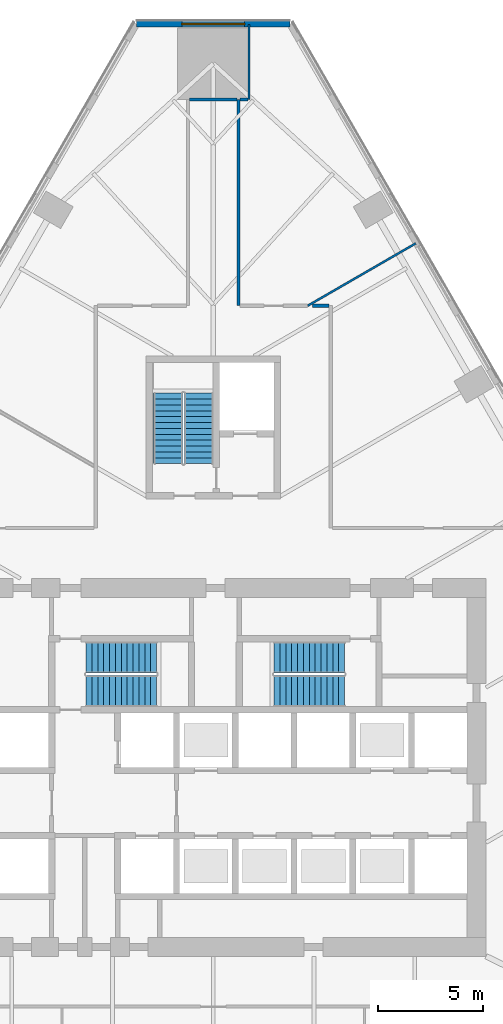
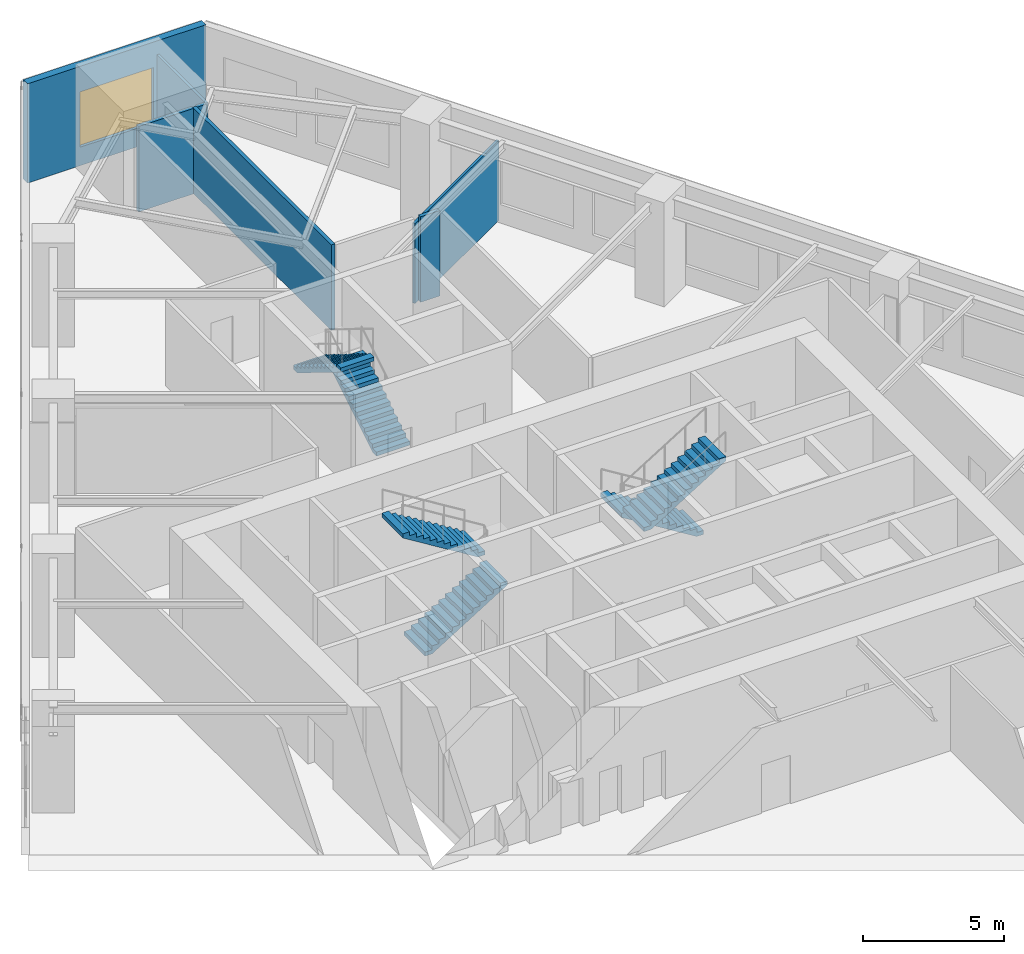
# One storey, part 7 of 14: 7 walls, 6 stair flights, 1 window, 1 opening, 3 elements without a shape of their own.
"""IFC4 building model written with IfcOpenShell, lengths in metres."""

from ifc_helpers import new_model, si_unit, direction, frame, frame_2d, origin, place, context, subcontext, project, spatial, polyline, rectangle, outline, extrude, material, layer, layer_set, type_object, element, fill, aggregate, save


model = new_model("IFC4")

# Units and contexts
model_context = context("Model", 3, precision=1e-05, world=origin(), true_north=direction((0.0, 1.0)))
body_context = subcontext(model_context, "Body", "Model", "MODEL_VIEW")
ifc_project = project(units=[si_unit("LENGTHUNIT", "METRE"), si_unit("AREAUNIT", "SQUARE_METRE"), si_unit("VOLUMEUNIT", "CUBIC_METRE"), si_unit("PLANEANGLEUNIT", "RADIAN"), si_unit("MASSUNIT", "GRAM", prefix="KILO")], contexts=[model_context])

# Site, building, storey
site_placement = place(None, origin())
site = spatial("IfcSite", under=ifc_project, at=site_placement, CompositionType="ELEMENT")
building_placement = place(site_placement, origin())
building = spatial("IfcBuilding", under=site, at=building_placement, Name="Firuza Gate Tower and Library", CompositionType="ELEMENT")
storey_placement = place(building_placement, frame((0.0, 0.0, 35.5)))
storey = spatial("IfcBuildingStorey", under=building, at=storey_placement, Name="L07", CompositionType="ELEMENT", Elevation=35.5)

# Walls
ifc_material_1 = material(Name="Gypsum board partition")
ifc_layer_1 = layer(ifc_material_1, 0.14990234375)
ifc_layer_set_1 = layer_set([ifc_layer_1], Name="Corridor wall 150 double board on steel studs")
wall_type_1 = type_object("IfcWallType", Name="Corridor wall 150 double board on steel studs", PredefinedType="PARTITIONING", material=ifc_layer_set_1)
wall_1_placement = place(storey_placement, frame((73.87548828125, 106.833984375, 0.0), z_axis=(0.0, 0.0, 1.0), x_axis=(1.0, 0.0, 0.0)))
element("IfcWall", 1, at=wall_1_placement, inside=storey, type_object=wall_type_1, Name="f:L07:w006", PredefinedType="PARTITIONING", context=body_context, shape_type="SweptSolid", body=[
    extrude(rectangle(XDim=2.24951171875, YDim=0.14990234375, at=frame_2d((1.124755859375, 0.0))), origin(), (0.0, 0.0, 1.0), 3.697021484375),
])
wall_2_placement = place(storey_placement, frame((76.199951171875, 97.0, 0.0), z_axis=(0.0, 0.0, 1.0), x_axis=(0.0, 1.0, 0.0)))
element("IfcWall", 2, at=wall_2_placement, inside=storey, type_object=wall_type_1, Name="f:L07:w022", PredefinedType="PARTITIONING", context=body_context, shape_type="SweptSolid", body=[
    extrude(rectangle(XDim=9.833740234375, YDim=0.14990234375, at=frame_2d((4.9169921875, 0.0))), origin(), (0.0, 0.0, 1.0), 3.699951171875),
])
wall_3_placement = place(storey_placement, frame((79.73486328125, 97.0, 0.0), z_axis=(0.0, 0.0, 1.0), x_axis=(1.0, 0.0, 0.0)))
element("IfcWall", 3, at=wall_3_placement, inside=storey, type_object=wall_type_1, Name="f:L07:w036", PredefinedType="PARTITIONING", context=body_context, shape_type="SweptSolid", body=[
    extrude(rectangle(XDim=0.78955078125, YDim=0.14990234375, at=frame_2d((0.394775390625, 0.0))), origin(), (0.0, 0.0, 1.0), 3.699951171875),
])
wall_4_placement = place(storey_placement, frame((76.27490234375, 106.833984375, 0.0), z_axis=(0.0, 0.0, 1.0), x_axis=(1.0, 0.0, 0.0)))
element("IfcWall", 4, at=wall_4_placement, inside=storey, type_object=wall_type_1, Name="f:L07:w037", PredefinedType="PARTITIONING", context=body_context, shape_type="SweptSolid", body=[
    extrude(rectangle(XDim=0.37451171875, YDim=0.14990234375, at=frame_2d((0.187255859375, 0.0))), origin(), (0.0, 0.0, 1.0), 3.699951171875),
])
ifc_material_2 = material(Name="Gypsum board partition")
ifc_layer_2 = layer(ifc_material_2, 0.10009765625)
ifc_layer_set_2 = layer_set([ifc_layer_2], Name="Partition 100 gypsum board on steel studs")
wall_type_2 = type_object("IfcWallType", Name="Partition 100 gypsum board on steel studs", PredefinedType="PARTITIONING", material=ifc_layer_set_2)
wall_5_placement = place(storey_placement, frame((79.505126953125, 97.0, 0.0), z_axis=(0.0, 0.0, 1.0), x_axis=(0.866009767966, 0.500027081053, 0.0)))
element("IfcWall", 5, at=wall_5_placement, inside=storey, type_object=wall_type_2, Name="f:L07:w012", PredefinedType="PARTITIONING", context=body_context, shape_type="SweptSolid", body=[
    extrude(rectangle(XDim=5.943115234375, YDim=0.10009765625, at=frame_2d((2.9716796875, 0.0))), origin(), (0.0, 0.0, 1.0), 3.465087890625),
])
wall_6_placement = place(storey_placement, frame((76.699951171875, 106.834228515625, 0.0), z_axis=(0.0, 0.0, 1.0), x_axis=(0.0, 1.0, 0.0)))
element("IfcWall", 6, at=wall_6_placement, inside=storey, type_object=wall_type_2, Name="f:L07:w021", PredefinedType="PARTITIONING", context=body_context, shape_type="SweptSolid", body=[
    extrude(rectangle(XDim=3.5595703125, YDim=0.10009765625, at=frame_2d((1.77978515625, 0.0))), origin(), (0.0, 0.0, 1.0), 3.699951171875),
])

# Wall, opening, window
ifc_material_3 = material(Name="Concrete C40/50", Category="concrete")
ifc_layer_3 = layer(ifc_material_3, 0.300048828125)
ifc_layer_set_3 = layer_set([ifc_layer_3], Name="Plant louvre wall 300")
wall_type_3 = type_object("IfcWallType", Name="Plant louvre wall 300", PredefinedType="SOLIDWALL", material=ifc_layer_set_3)
wall_7_placement = place(storey_placement, frame((78.65185546875, 110.423828125, 0.0), z_axis=(0.0, 0.0, 1.0), x_axis=(-1.0, 0.0, 0.0)))
wall_7 = element("IfcWall", 7, at=wall_7_placement, inside=storey, type_object=wall_type_3, Name="Plant louvre wall 4", PredefinedType="SOLIDWALL", context=body_context, shape_type="SweptSolid", body=[
    extrude(rectangle(XDim=7.3037109375, YDim=0.300048828125, at=frame_2d((3.65185546875, 0.0))), origin(), (0.0, 0.0, 1.0), 4.300048828125),
])
opening_placement = place(wall_7_placement, frame((2.15185546875, 0.0, 0.800048828125)))
opening = element("IfcOpeningElement", 8, at=opening_placement, cuts=wall_7, Name="Opening WD3-021", PredefinedType="OPENING", context=body_context, shape_type="SweptSolid", body=[
    extrude(rectangle(XDim=3.0, YDim=2.39990234375, at=frame_2d((1.5, 1.199951171875))), frame((0.0, 0.16015625, 0.0), z_axis=(0.0, -1.0, 0.0), x_axis=(1.0, 0.0, 0.0)), (0.0, 0.0, 1.0), 0.320068359375),
])
ifc_material_4 = material(Name="Aluminium 6063-T6", Category="aluminium")
window_type = type_object("IfcWindowType", Name="Plant louvre 3000x2400", PartitioningType="SINGLE_PANEL", PredefinedType="WINDOW", material=ifc_material_4)
window_placement = place(opening_placement, origin())
window = element("IfcWindow", 9, at=window_placement, inside=storey, type_object=window_type, Name="e:pwall:L07:3/L0", OverallHeight=2.39990234375, OverallWidth=3.0, PartitioningType="SINGLE_PANEL", PredefinedType="WINDOW", context=body_context, shape_type="SweptSolid", body=[
    extrude(rectangle(XDim=3.0, YDim=2.39990234375, at=frame_2d((1.5, 1.199951171875))), frame((0.0, 0.030029296875, 0.0), z_axis=(0.0, -1.0, 0.0), x_axis=(1.0, 0.0, 0.0)), (0.0, 0.0, 1.0), 0.06005859375),
])
fill(opening, window)

# Stair, stair flights
ifc_material_5 = material(Name="Concrete C35/45", Category="concrete")
stair_type_1 = type_object("IfcStairType", Name="Exit stair ST10", PredefinedType="HALF_TURN_STAIR", material=ifc_material_5)
placement = place(storey_placement, origin())
stair_1 = element("IfcStair", 10, at=placement, inside=storey, type_object=stair_type_1, Name="L07 Stair ST3", PredefinedType="HALF_TURN_STAIR")
ifc_material_6 = material(Name="Concrete C35/45", Category="concrete")
stair_flight_type_1 = type_object("IfcStairFlightType", Name="Stair flight 13 risers 173.1 width 1370", PredefinedType="STRAIGHT", material=ifc_material_6)
stair_flight_1_placement = place(storey_placement, frame((74.31494140625, 89.469970703125, 0.0), z_axis=(0.0, 0.0, 1.0), x_axis=(0.0, 1.0, 0.0)))
stair_flight_1 = element("IfcStairFlight", 11, at=stair_flight_1_placement, type_object=stair_flight_type_1, Name="ST3 flight 1", NumberOfRisers=13, NumberOfTreads=12, PredefinedType="STRAIGHT", RiserHeight=0.173076923, TreadLength=0.28, context=body_context, shape_type="SweptSolid", body=[
    extrude(outline(polyline([(0.0, 0.0), (0.0, 0.173095703125), (0.280029296875, 0.173095703125), (0.280029296875, 0.34619140625), (0.56005859375, 0.34619140625), (0.56005859375, 0.519287109375), (0.840087890625, 0.519287109375), (0.840087890625, 0.6923828125), (1.1201171875, 0.6923828125), (1.1201171875, 0.865478515625), (1.39990234375, 0.865478515625), (1.39990234375, 1.03857421875), (1.679931640625, 1.03857421875), (1.679931640625, 1.21142578125), (1.9599609375, 1.21142578125), (1.9599609375, 1.384521484375), (2.239990234375, 1.384521484375), (2.239990234375, 1.5576171875), (2.52001953125, 1.5576171875), (2.52001953125, 1.730712890625), (2.800048828125, 1.730712890625), (2.800048828125, 1.90380859375), (3.080078125, 1.90380859375), (3.080078125, 2.076904296875), (3.360107421875, 2.076904296875), (3.360107421875, 2.25), (3.360107421875, 1.900634765625), (0.28515625, 0.0), (0.0, 0.0)])), frame((0.0, 0.68505859375, 0.0), z_axis=(0.0, -1.0, 0.0), x_axis=(1.0, 0.0, 0.0)), (0.0, 0.0, 1.0), 1.3701171875),
])
stair_flight_2_placement = place(storey_placement, frame((72.844970703125, 92.830078125, 2.25), z_axis=(0.0, 0.0, 1.0), x_axis=(0.0, -1.0, 0.0)))
stair_flight_2 = element("IfcStairFlight", 12, at=stair_flight_2_placement, type_object=stair_flight_type_1, Name="ST3 flight 2", NumberOfRisers=13, NumberOfTreads=12, PredefinedType="STRAIGHT", RiserHeight=0.173076923, TreadLength=0.28, context=body_context, shape_type="SweptSolid", body=[
    extrude(outline(polyline([(0.0, 0.0), (0.0, 0.173095703125), (0.280029296875, 0.173095703125), (0.280029296875, 0.34619140625), (0.56005859375, 0.34619140625), (0.56005859375, 0.519287109375), (0.840087890625, 0.519287109375), (0.840087890625, 0.6923828125), (1.1201171875, 0.6923828125), (1.1201171875, 0.865478515625), (1.39990234375, 0.865478515625), (1.39990234375, 1.03857421875), (1.679931640625, 1.03857421875), (1.679931640625, 1.21142578125), (1.9599609375, 1.21142578125), (1.9599609375, 1.384521484375), (2.239990234375, 1.384521484375), (2.239990234375, 1.5576171875), (2.52001953125, 1.5576171875), (2.52001953125, 1.730712890625), (2.800048828125, 1.730712890625), (2.800048828125, 1.90380859375), (3.080078125, 1.90380859375), (3.080078125, 2.076904296875), (3.360107421875, 2.076904296875), (3.360107421875, 2.25), (3.360107421875, 1.900634765625), (0.28515625, 0.0), (0.0, 0.0)])), frame((0.0, 0.68505859375, 0.0), z_axis=(0.0, -1.0, 0.0), x_axis=(1.0, 0.0, 0.0)), (0.0, 0.0, 1.0), 1.3701171875),
])
aggregate(stair_1, [stair_flight_1, stair_flight_2])

ifc_material_7 = material(Name="Concrete C35/45", Category="concrete")
stair_type_2 = type_object("IfcStairType", Name="Exit stair ST1", PredefinedType="HALF_TURN_STAIR", material=ifc_material_7)
stair_2 = element("IfcStair", 13, at=placement, inside=storey, type_object=stair_type_2, Name="L07 Stair ST1", PredefinedType="HALF_TURN_STAIR")
ifc_material_8 = material(Name="Concrete C35/45", Category="concrete")
stair_flight_type_2 = type_object("IfcStairFlightType", Name="Stair flight 13 risers 173.1 width 1490", PredefinedType="STRAIGHT", material=ifc_material_8)
stair_flight_3_placement = place(storey_placement, frame((68.93994140625, 78.64501953125, 0.0), z_axis=(0.0, 0.0, 1.0), x_axis=(1.0, 0.0, 0.0)))
stair_flight_3 = element("IfcStairFlight", 14, at=stair_flight_3_placement, type_object=stair_flight_type_2, Name="ST1 flight 1", NumberOfRisers=13, NumberOfTreads=12, PredefinedType="STRAIGHT", RiserHeight=0.173076923, TreadLength=0.28, context=body_context, shape_type="SweptSolid", body=[
    extrude(outline(polyline([(0.0, 0.0), (0.0, 0.173095703125), (0.280029296875, 0.173095703125), (0.280029296875, 0.34619140625), (0.56005859375, 0.34619140625), (0.56005859375, 0.519287109375), (0.840087890625, 0.519287109375), (0.840087890625, 0.6923828125), (1.1201171875, 0.6923828125), (1.1201171875, 0.865478515625), (1.39990234375, 0.865478515625), (1.39990234375, 1.03857421875), (1.679931640625, 1.03857421875), (1.679931640625, 1.21142578125), (1.9599609375, 1.21142578125), (1.9599609375, 1.384521484375), (2.239990234375, 1.384521484375), (2.239990234375, 1.5576171875), (2.52001953125, 1.5576171875), (2.52001953125, 1.730712890625), (2.800048828125, 1.730712890625), (2.800048828125, 1.90380859375), (3.080078125, 1.90380859375), (3.080078125, 2.076904296875), (3.360107421875, 2.076904296875), (3.360107421875, 2.25), (3.360107421875, 1.900634765625), (0.28515625, 0.0), (0.0, 0.0)])), frame((0.0, 0.7451171875, 0.0), z_axis=(0.0, -1.0, 0.0), x_axis=(1.0, 0.0, 0.0)), (0.0, 0.0, 1.0), 1.489990234375),
])
stair_flight_4_placement = place(storey_placement, frame((72.300048828125, 80.235107421875, 2.25), z_axis=(0.0, 0.0, 1.0), x_axis=(-1.0, 0.0, 0.0)))
stair_flight_4 = element("IfcStairFlight", 15, at=stair_flight_4_placement, type_object=stair_flight_type_2, Name="ST1 flight 2", NumberOfRisers=13, NumberOfTreads=12, PredefinedType="STRAIGHT", RiserHeight=0.173076923, TreadLength=0.28, context=body_context, shape_type="SweptSolid", body=[
    extrude(outline(polyline([(0.0, 0.0), (0.0, 0.173095703125), (0.280029296875, 0.173095703125), (0.280029296875, 0.34619140625), (0.56005859375, 0.34619140625), (0.56005859375, 0.519287109375), (0.840087890625, 0.519287109375), (0.840087890625, 0.6923828125), (1.1201171875, 0.6923828125), (1.1201171875, 0.865478515625), (1.39990234375, 0.865478515625), (1.39990234375, 1.03857421875), (1.679931640625, 1.03857421875), (1.679931640625, 1.21142578125), (1.9599609375, 1.21142578125), (1.9599609375, 1.384521484375), (2.239990234375, 1.384521484375), (2.239990234375, 1.5576171875), (2.52001953125, 1.5576171875), (2.52001953125, 1.730712890625), (2.800048828125, 1.730712890625), (2.800048828125, 1.90380859375), (3.080078125, 1.90380859375), (3.080078125, 2.076904296875), (3.360107421875, 2.076904296875), (3.360107421875, 2.25), (3.360107421875, 1.900634765625), (0.28515625, 0.0), (0.0, 0.0)])), frame((0.0, 0.7451171875, 0.0), z_axis=(0.0, -1.0, 0.0), x_axis=(1.0, 0.0, 0.0)), (0.0, 0.0, 1.0), 1.489990234375),
])
aggregate(stair_2, [stair_flight_3, stair_flight_4])

stair_3 = element("IfcStair", 16, at=placement, inside=storey, type_object=stair_type_2, Name="L07 Stair ST2", PredefinedType="HALF_TURN_STAIR")
stair_flight_5_placement = place(storey_placement, frame((81.260009765625, 80.235107421875, 0.0), z_axis=(0.0, 0.0, 1.0), x_axis=(-1.0, 0.0, 0.0)))
stair_flight_5 = element("IfcStairFlight", 17, at=stair_flight_5_placement, type_object=stair_flight_type_2, Name="ST2 flight 1", NumberOfRisers=13, NumberOfTreads=12, PredefinedType="STRAIGHT", RiserHeight=0.173076923, TreadLength=0.28, context=body_context, shape_type="SweptSolid", body=[
    extrude(outline(polyline([(0.0, 0.0), (0.0, 0.173095703125), (0.280029296875, 0.173095703125), (0.280029296875, 0.34619140625), (0.56005859375, 0.34619140625), (0.56005859375, 0.519287109375), (0.840087890625, 0.519287109375), (0.840087890625, 0.6923828125), (1.1201171875, 0.6923828125), (1.1201171875, 0.865478515625), (1.39990234375, 0.865478515625), (1.39990234375, 1.03857421875), (1.679931640625, 1.03857421875), (1.679931640625, 1.21142578125), (1.9599609375, 1.21142578125), (1.9599609375, 1.384521484375), (2.239990234375, 1.384521484375), (2.239990234375, 1.5576171875), (2.52001953125, 1.5576171875), (2.52001953125, 1.730712890625), (2.800048828125, 1.730712890625), (2.800048828125, 1.90380859375), (3.080078125, 1.90380859375), (3.080078125, 2.076904296875), (3.360107421875, 2.076904296875), (3.360107421875, 2.25), (3.360107421875, 1.900634765625), (0.28515625, 0.0), (0.0, 0.0)])), frame((0.0, 0.7451171875, 0.0), z_axis=(0.0, -1.0, 0.0), x_axis=(1.0, 0.0, 0.0)), (0.0, 0.0, 1.0), 1.489990234375),
])
stair_flight_6_placement = place(storey_placement, frame((77.89990234375, 78.64501953125, 2.25), z_axis=(0.0, 0.0, 1.0), x_axis=(1.0, 0.0, 0.0)))
stair_flight_6 = element("IfcStairFlight", 18, at=stair_flight_6_placement, type_object=stair_flight_type_2, Name="ST2 flight 2", NumberOfRisers=13, NumberOfTreads=12, PredefinedType="STRAIGHT", RiserHeight=0.173076923, TreadLength=0.28, context=body_context, shape_type="SweptSolid", body=[
    extrude(outline(polyline([(0.0, 0.0), (0.0, 0.173095703125), (0.280029296875, 0.173095703125), (0.280029296875, 0.34619140625), (0.56005859375, 0.34619140625), (0.56005859375, 0.519287109375), (0.840087890625, 0.519287109375), (0.840087890625, 0.6923828125), (1.1201171875, 0.6923828125), (1.1201171875, 0.865478515625), (1.39990234375, 0.865478515625), (1.39990234375, 1.03857421875), (1.679931640625, 1.03857421875), (1.679931640625, 1.21142578125), (1.9599609375, 1.21142578125), (1.9599609375, 1.384521484375), (2.239990234375, 1.384521484375), (2.239990234375, 1.5576171875), (2.52001953125, 1.5576171875), (2.52001953125, 1.730712890625), (2.800048828125, 1.730712890625), (2.800048828125, 1.90380859375), (3.080078125, 1.90380859375), (3.080078125, 2.076904296875), (3.360107421875, 2.076904296875), (3.360107421875, 2.25), (3.360107421875, 1.900634765625), (0.28515625, 0.0), (0.0, 0.0)])), frame((0.0, 0.7451171875, 0.0), z_axis=(0.0, -1.0, 0.0), x_axis=(1.0, 0.0, 0.0)), (0.0, 0.0, 1.0), 1.489990234375),
])
aggregate(stair_3, [stair_flight_5, stair_flight_6])

save(model, "model.ifc")
